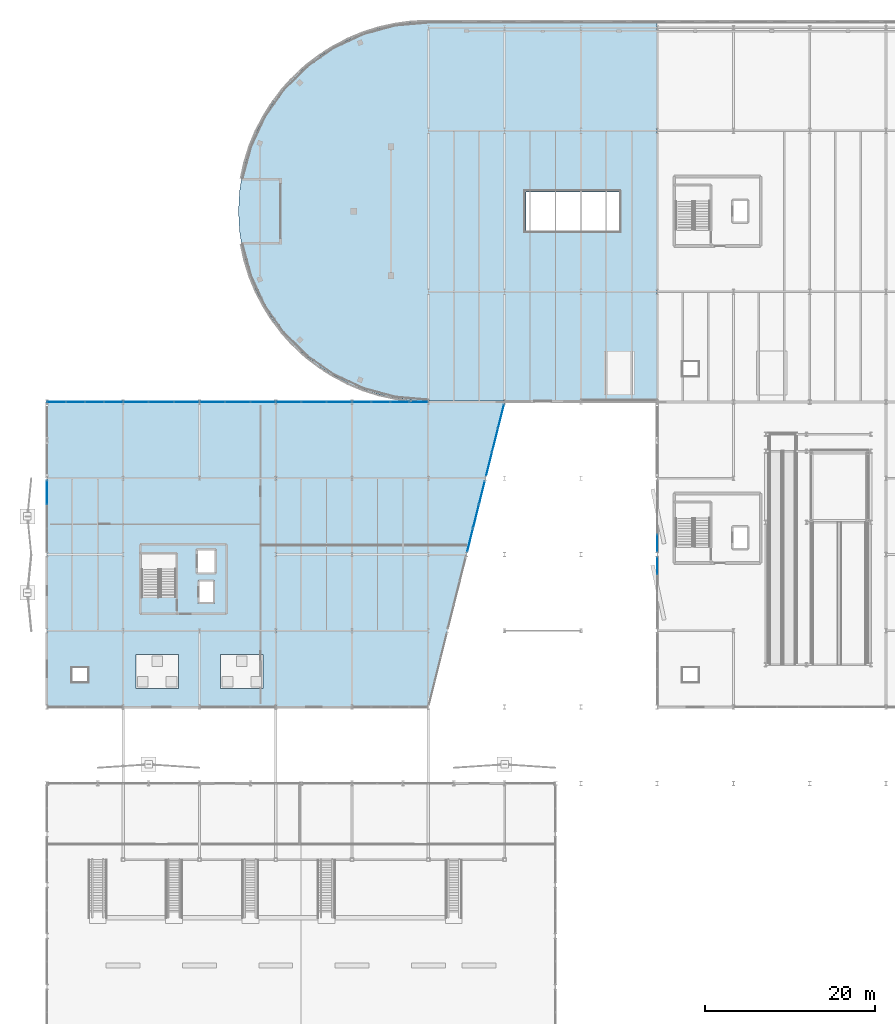
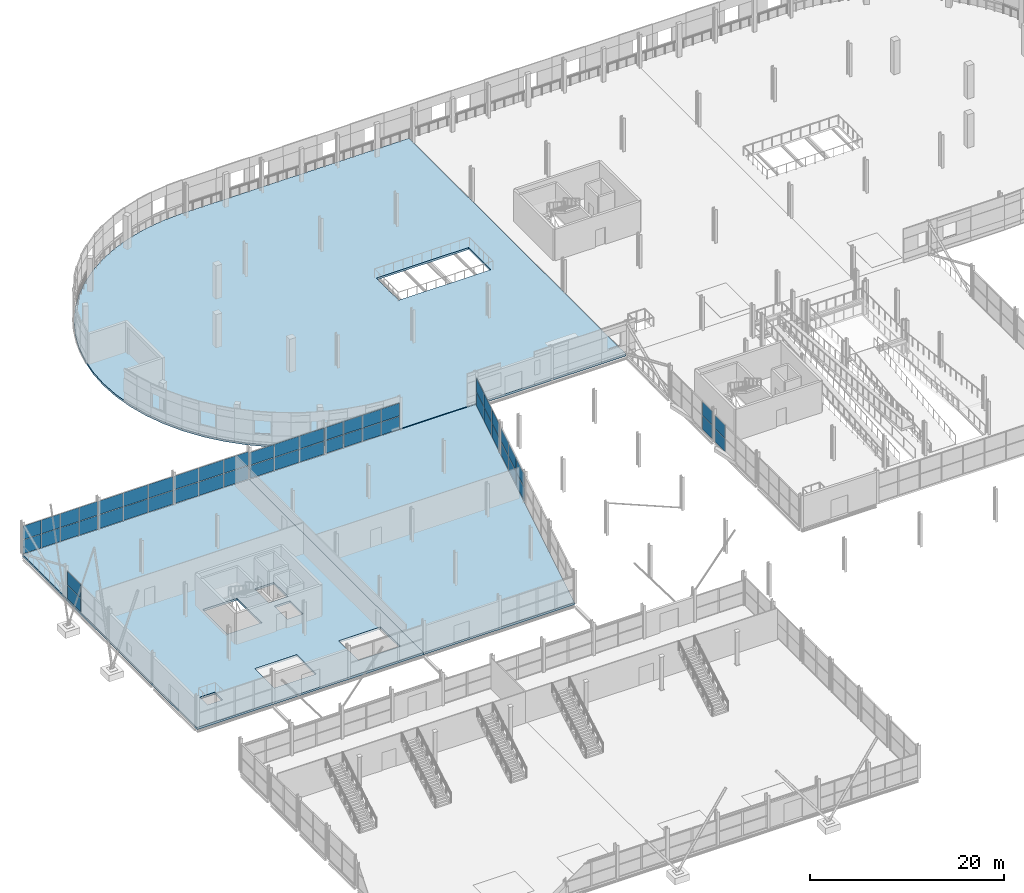
# One storey, part 105 of 140: 52 plates, 3 slabs, 10 elements without a shape of their own.
"""IFC4 building model written with IfcOpenShell, lengths in metres."""

from ifc_helpers import new_model, si_unit, direction, frame, origin, origin_2d, place, context, subcontext, project, spatial, polyline, rectangle, outline, extrude, material, layer, layer_set, type_object, element, aggregate, save


model = new_model("IFC4")

# Units and contexts
model_context = context("Model", 3, precision=1e-05, world=origin(), true_north=direction((0.0, 1.0)))
body_context = subcontext(model_context, "Body", "Model", "MODEL_VIEW")
ifc_project = project(units=[si_unit("LENGTHUNIT", "METRE"), si_unit("AREAUNIT", "SQUARE_METRE"), si_unit("VOLUMEUNIT", "CUBIC_METRE"), si_unit("PLANEANGLEUNIT", "RADIAN"), si_unit("MASSUNIT", "GRAM", prefix="KILO")], contexts=[model_context])

# Site, building, storey
site_placement = place(None, origin())
site = spatial("IfcSite", under=ifc_project, at=site_placement, CompositionType="ELEMENT")
building_placement = place(site_placement, origin())
building = spatial("IfcBuilding", under=site, at=building_placement, Name="Deido Ridge Mobility Hub", CompositionType="ELEMENT")
storey_placement = place(building_placement, origin())
storey = spatial("IfcBuildingStorey", under=building, at=storey_placement, Name="L00", CompositionType="ELEMENT", Elevation=0.0)

# Curtain wall, plates
ifc_material_1 = material(Name="Anodised aluminium EN AW-6063 T6", Category="aluminium")
ifc_layer_1 = layer(ifc_material_1, 0.27001953125, Name="Anodised aluminium EN AW-6063 T6")
ifc_layer_set_1 = layer_set([ifc_layer_1], Name="Anodised aluminium EN AW-6063 T6")
curtain_wall_type_1 = type_object("IfcCurtainWallType", Name="CW-UF-8", PredefinedType="USERDEFINED", material=ifc_layer_set_1)
curtain_wall_1_placement = place(storey_placement, origin())
curtain_wall_1 = element("IfcCurtainWall", 1, at=curtain_wall_1_placement, inside=storey, type_object=curtain_wall_type_1, Name="Unitised curtain wall CW8", ObjectType="UNITISED FACADE", PredefinedType="USERDEFINED")
ifc_material_2 = material(Name="Laminated solar-control low-E glass", Category="glass")
ifc_layer_2 = layer(ifc_material_2, 0.02587890625, Name="Laminated solar-control low-E glass")
ifc_layer_set_2 = layer_set([ifc_layer_2], Name="Laminated solar-control low-E glass")
plate_type_1 = type_object("IfcPlateType", Name="PLT-CWP-26", PredefinedType="CURTAIN_PANEL", material=ifc_layer_set_2)
plate_1_placement = place(storey_placement, frame((52.173095703125, 73.692626953125, 0.050048828125), z_axis=(0.0, 0.0, 1.0), x_axis=(0.242546419373, 0.970139801497, 0.0)))
plate_1 = element("IfcPlate", 2, at=plate_1_placement, type_object=plate_type_1, Name="CW8 panel 1.1", PredefinedType="CURTAIN_PANEL", context=body_context, shape_type="SweptSolid", body=[
    extrude(rectangle(XDim=2.831298828125, YDim=0.02587890625, at=origin_2d()), origin(), (0.0, 0.0, 1.0), 1.72509765625),
])
plate_2_placement = place(storey_placement, frame((52.173095703125, 73.692626953125, 1.824951171875), z_axis=(0.0, 0.0, 1.0), x_axis=(0.242546419373, 0.970139801497, 0.0)))
plate_2 = element("IfcPlate", 3, at=plate_2_placement, type_object=plate_type_1, Name="CW8 panel 1.2", PredefinedType="CURTAIN_PANEL", context=body_context, shape_type="SweptSolid", body=[
    extrude(rectangle(XDim=2.831298828125, YDim=0.02587890625, at=origin_2d()), origin(), (0.0, 0.0, 1.0), 1.72509765625),
])
plate_3_placement = place(storey_placement, frame((52.875, 76.5, 0.050048828125), z_axis=(0.0, 0.0, 1.0), x_axis=(0.242546419373, 0.970139801497, 0.0)))
plate_3 = element("IfcPlate", 4, at=plate_3_placement, type_object=plate_type_1, Name="CW8 panel 2.1", PredefinedType="CURTAIN_PANEL", context=body_context, shape_type="SweptSolid", body=[
    extrude(rectangle(XDim=2.8564453125, YDim=0.02587890625, at=origin_2d()), origin(), (0.0, 0.0, 1.0), 1.72509765625),
])
plate_4_placement = place(storey_placement, frame((52.875, 76.5, 1.824951171875), z_axis=(0.0, 0.0, 1.0), x_axis=(0.242546419373, 0.970139801497, 0.0)))
plate_4 = element("IfcPlate", 5, at=plate_4_placement, type_object=plate_type_1, Name="CW8 panel 2.2", PredefinedType="CURTAIN_PANEL", context=body_context, shape_type="SweptSolid", body=[
    extrude(rectangle(XDim=2.8564453125, YDim=0.02587890625, at=origin_2d()), origin(), (0.0, 0.0, 1.0), 1.72509765625),
])
plate_5_placement = place(storey_placement, frame((53.576904296875, 79.307373046875, 0.050048828125), z_axis=(0.0, 0.0, 1.0), x_axis=(0.242546419373, 0.970139801497, 0.0)))
plate_5 = element("IfcPlate", 6, at=plate_5_placement, type_object=plate_type_1, Name="CW8 panel 3.1", PredefinedType="CURTAIN_PANEL", context=body_context, shape_type="SweptSolid", body=[
    extrude(rectangle(XDim=2.831298828125, YDim=0.02587890625, at=origin_2d()), origin(), (0.0, 0.0, 1.0), 1.72509765625),
])
plate_6_placement = place(storey_placement, frame((53.576904296875, 79.307373046875, 1.824951171875), z_axis=(0.0, 0.0, 1.0), x_axis=(0.242546419373, 0.970139801497, 0.0)))
plate_6 = element("IfcPlate", 7, at=plate_6_placement, type_object=plate_type_1, Name="CW8 panel 3.2", PredefinedType="CURTAIN_PANEL", context=body_context, shape_type="SweptSolid", body=[
    extrude(rectangle(XDim=2.831298828125, YDim=0.02587890625, at=origin_2d()), origin(), (0.0, 0.0, 1.0), 1.72509765625),
])
aggregate(curtain_wall_1, [plate_1, plate_2, plate_3, plate_4, plate_5, plate_6])

ifc_layer_3 = layer(ifc_material_1, 0.132080078125, Name="Anodised aluminium EN AW-6063 T6")
ifc_layer_set_3 = layer_set([ifc_layer_3], Name="Anodised aluminium EN AW-6063 T6")
curtain_wall_type_2 = type_object("IfcCurtainWallType", Name="CW-GS-1", PredefinedType="USERDEFINED", material=ifc_layer_set_3)
curtain_wall_2_placement = place(storey_placement, origin())
curtain_wall_2 = element("IfcCurtainWall", 8, at=curtain_wall_2_placement, inside=storey, type_object=curtain_wall_type_2, Name="Unitised curtain wall GS1", ObjectType="GLAZED SCREEN", PredefinedType="USERDEFINED")
ifc_layer_4 = layer(ifc_material_2, 0.029052734375, Name="Laminated solar-control low-E glass")
ifc_layer_set_4 = layer_set([ifc_layer_4], Name="Laminated solar-control low-E glass")
plate_type_2 = type_object("IfcPlateType", Name="PLT-CWP-29", PredefinedType="CURTAIN_PANEL", material=ifc_layer_set_4)
plate_7_placement = place(storey_placement, frame((1.144287109375, 81.0, 0.05517578125), z_axis=(0.0, 0.0, 1.0), x_axis=(1.0, 0.0, 0.0)))
plate_7 = element("IfcPlate", 9, at=plate_7_placement, type_object=plate_type_2, Name="GS1 panel 1.1", PredefinedType="CURTAIN_PANEL", context=body_context, shape_type="SweptSolid", body=[
    extrude(rectangle(XDim=2.163818359375, YDim=0.029052734375, at=origin_2d()), origin(), (0.0, 0.0, 1.0), 1.717529296875),
])
plate_8_placement = place(storey_placement, frame((1.144287109375, 81.0, 1.82763671875), z_axis=(0.0, 0.0, 1.0), x_axis=(1.0, 0.0, 0.0)))
plate_8 = element("IfcPlate", 10, at=plate_8_placement, type_object=plate_type_2, Name="GS1 panel 1.2", PredefinedType="CURTAIN_PANEL", context=body_context, shape_type="SweptSolid", body=[
    extrude(rectangle(XDim=2.163818359375, YDim=0.029052734375, at=origin_2d()), origin(), (0.0, 0.0, 1.0), 1.717529296875),
])
plate_9_placement = place(storey_placement, frame((3.376708984375, 81.0, 0.05517578125), z_axis=(0.0, 0.0, 1.0), x_axis=(1.0, 0.0, 0.0)))
plate_9 = element("IfcPlate", 11, at=plate_9_placement, type_object=plate_type_2, Name="GS1 panel 2.1", PredefinedType="CURTAIN_PANEL", context=body_context, shape_type="SweptSolid", body=[
    extrude(rectangle(XDim=2.19140625, YDim=0.029052734375, at=origin_2d()), origin(), (0.0, 0.0, 1.0), 1.717529296875),
])
plate_10_placement = place(storey_placement, frame((3.376708984375, 81.0, 1.82763671875), z_axis=(0.0, 0.0, 1.0), x_axis=(1.0, 0.0, 0.0)))
plate_10 = element("IfcPlate", 12, at=plate_10_placement, type_object=plate_type_2, Name="GS1 panel 2.2", PredefinedType="CURTAIN_PANEL", context=body_context, shape_type="SweptSolid", body=[
    extrude(rectangle(XDim=2.19140625, YDim=0.029052734375, at=origin_2d()), origin(), (0.0, 0.0, 1.0), 1.717529296875),
])
plate_11_placement = place(storey_placement, frame((5.623291015625, 81.0, 0.05517578125), z_axis=(0.0, 0.0, 1.0), x_axis=(1.0, 0.0, 0.0)))
plate_11 = element("IfcPlate", 13, at=plate_11_placement, type_object=plate_type_2, Name="GS1 panel 3.1", PredefinedType="CURTAIN_PANEL", context=body_context, shape_type="SweptSolid", body=[
    extrude(rectangle(XDim=2.19140625, YDim=0.029052734375, at=origin_2d()), origin(), (0.0, 0.0, 1.0), 1.717529296875),
])
plate_12_placement = place(storey_placement, frame((5.623291015625, 81.0, 1.82763671875), z_axis=(0.0, 0.0, 1.0), x_axis=(1.0, 0.0, 0.0)))
plate_12 = element("IfcPlate", 14, at=plate_12_placement, type_object=plate_type_2, Name="GS1 panel 3.2", PredefinedType="CURTAIN_PANEL", context=body_context, shape_type="SweptSolid", body=[
    extrude(rectangle(XDim=2.19140625, YDim=0.029052734375, at=origin_2d()), origin(), (0.0, 0.0, 1.0), 1.717529296875),
])
plate_13_placement = place(storey_placement, frame((7.855712890625, 81.0, 0.05517578125), z_axis=(0.0, 0.0, 1.0), x_axis=(1.0, 0.0, 0.0)))
plate_13 = element("IfcPlate", 15, at=plate_13_placement, type_object=plate_type_2, Name="GS1 panel 4.1", PredefinedType="CURTAIN_PANEL", context=body_context, shape_type="SweptSolid", body=[
    extrude(rectangle(XDim=2.163818359375, YDim=0.029052734375, at=origin_2d()), origin(), (0.0, 0.0, 1.0), 1.717529296875),
])
plate_14_placement = place(storey_placement, frame((7.855712890625, 81.0, 1.82763671875), z_axis=(0.0, 0.0, 1.0), x_axis=(1.0, 0.0, 0.0)))
plate_14 = element("IfcPlate", 16, at=plate_14_placement, type_object=plate_type_2, Name="GS1 panel 4.2", PredefinedType="CURTAIN_PANEL", context=body_context, shape_type="SweptSolid", body=[
    extrude(rectangle(XDim=2.163818359375, YDim=0.029052734375, at=origin_2d()), origin(), (0.0, 0.0, 1.0), 1.717529296875),
])
aggregate(curtain_wall_2, [plate_7, plate_8, plate_9, plate_10, plate_11, plate_12, plate_13, plate_14])

ifc_layer_5 = layer(ifc_material_1, 0.195068359375, Name="Anodised aluminium EN AW-6063 T6")
ifc_layer_set_5 = layer_set([ifc_layer_5], Name="Anodised aluminium EN AW-6063 T6")
curtain_wall_type_3 = type_object("IfcCurtainWallType", Name="CW-UF-3", PredefinedType="USERDEFINED", material=ifc_layer_set_5)
curtain_wall_3_placement = place(storey_placement, origin())
curtain_wall_3 = element("IfcCurtainWall", 17, at=curtain_wall_3_placement, inside=storey, type_object=curtain_wall_type_3, Name="Unitised curtain wall CW3", ObjectType="UNITISED FACADE", PredefinedType="USERDEFINED")
ifc_layer_6 = layer(ifc_material_2, 0.031005859375, Name="Laminated solar-control low-E glass")
ifc_layer_set_6 = layer_set([ifc_layer_6], Name="Laminated solar-control low-E glass")
plate_type_3 = type_object("IfcPlateType", Name="PLT-CWP-31", PredefinedType="CURTAIN_PANEL", material=ifc_layer_set_6)
plate_15_placement = place(storey_placement, frame((0.0, 70.318359375, 0.06005859375), z_axis=(0.0, 0.0, 1.0), x_axis=(0.0, 1.0, 0.0)))
plate_15 = element("IfcPlate", 18, at=plate_15_placement, type_object=plate_type_3, Name="CW3 panel 3.1", PredefinedType="CURTAIN_PANEL", context=body_context, shape_type="SweptSolid", body=[
    extrude(rectangle(XDim=2.743408203125, YDim=0.031005859375, at=origin_2d()), origin(), (0.0, 0.0, 1.0), 1.7099609375),
])
plate_16_placement = place(storey_placement, frame((0.0, 70.318359375, 1.830078125), z_axis=(0.0, 0.0, 1.0), x_axis=(0.0, 1.0, 0.0)))
plate_16 = element("IfcPlate", 19, at=plate_16_placement, type_object=plate_type_3, Name="CW3 panel 3.2", PredefinedType="CURTAIN_PANEL", context=body_context, shape_type="SweptSolid", body=[
    extrude(rectangle(XDim=2.743408203125, YDim=0.031005859375, at=origin_2d()), origin(), (0.0, 0.0, 1.0), 1.7099609375),
])
aggregate(curtain_wall_3, [plate_15, plate_16])

ifc_layer_7 = layer(ifc_material_1, 0.14404296875, Name="Anodised aluminium EN AW-6063 T6")
ifc_layer_set_7 = layer_set([ifc_layer_7], Name="Anodised aluminium EN AW-6063 T6")
curtain_wall_type_4 = type_object("IfcCurtainWallType", Name="CW-GS-2", PredefinedType="USERDEFINED", material=ifc_layer_set_7)
curtain_wall_4_placement = place(storey_placement, origin())
curtain_wall_4 = element("IfcCurtainWall", 20, at=curtain_wall_4_placement, inside=storey, type_object=curtain_wall_type_4, Name="Unitised curtain wall GS2", ObjectType="GLAZED SCREEN", PredefinedType="USERDEFINED")
plate_17_placement = place(storey_placement, frame((10.519775390625, 81.0, 0.06005859375), z_axis=(0.0, 0.0, 1.0), x_axis=(1.0, 0.0, 0.0)))
plate_17 = element("IfcPlate", 21, at=plate_17_placement, type_object=plate_type_3, Name="GS2 panel 1.1", PredefinedType="CURTAIN_PANEL", context=body_context, shape_type="SweptSolid", body=[
    extrude(rectangle(XDim=2.9052734375, YDim=0.031005859375, at=origin_2d()), origin(), (0.0, 0.0, 1.0), 1.7099609375),
])
plate_18_placement = place(storey_placement, frame((10.519775390625, 81.0, 1.830078125), z_axis=(0.0, 0.0, 1.0), x_axis=(1.0, 0.0, 0.0)))
plate_18 = element("IfcPlate", 22, at=plate_18_placement, type_object=plate_type_3, Name="GS2 panel 1.2", PredefinedType="CURTAIN_PANEL", context=body_context, shape_type="SweptSolid", body=[
    extrude(rectangle(XDim=2.9052734375, YDim=0.031005859375, at=origin_2d()), origin(), (0.0, 0.0, 1.0), 1.7099609375),
])
plate_19_placement = place(storey_placement, frame((13.5, 81.0, 0.06005859375), z_axis=(0.0, 0.0, 1.0), x_axis=(1.0, 0.0, 0.0)))
plate_19 = element("IfcPlate", 23, at=plate_19_placement, type_object=plate_type_3, Name="GS2 panel 2.1", PredefinedType="CURTAIN_PANEL", context=body_context, shape_type="SweptSolid", body=[
    extrude(rectangle(XDim=2.93505859375, YDim=0.031005859375, at=origin_2d()), origin(), (0.0, 0.0, 1.0), 1.7099609375),
])
plate_20_placement = place(storey_placement, frame((13.5, 81.0, 1.830078125), z_axis=(0.0, 0.0, 1.0), x_axis=(1.0, 0.0, 0.0)))
plate_20 = element("IfcPlate", 24, at=plate_20_placement, type_object=plate_type_3, Name="GS2 panel 2.2", PredefinedType="CURTAIN_PANEL", context=body_context, shape_type="SweptSolid", body=[
    extrude(rectangle(XDim=2.93505859375, YDim=0.031005859375, at=origin_2d()), origin(), (0.0, 0.0, 1.0), 1.7099609375),
])
plate_21_placement = place(storey_placement, frame((16.480224609375, 81.0, 0.06005859375), z_axis=(0.0, 0.0, 1.0), x_axis=(1.0, 0.0, 0.0)))
plate_21 = element("IfcPlate", 25, at=plate_21_placement, type_object=plate_type_3, Name="GS2 panel 3.1", PredefinedType="CURTAIN_PANEL", context=body_context, shape_type="SweptSolid", body=[
    extrude(rectangle(XDim=2.9052734375, YDim=0.031005859375, at=origin_2d()), origin(), (0.0, 0.0, 1.0), 1.7099609375),
])
plate_22_placement = place(storey_placement, frame((16.480224609375, 81.0, 1.830078125), z_axis=(0.0, 0.0, 1.0), x_axis=(1.0, 0.0, 0.0)))
plate_22 = element("IfcPlate", 26, at=plate_22_placement, type_object=plate_type_3, Name="GS2 panel 3.2", PredefinedType="CURTAIN_PANEL", context=body_context, shape_type="SweptSolid", body=[
    extrude(rectangle(XDim=2.9052734375, YDim=0.031005859375, at=origin_2d()), origin(), (0.0, 0.0, 1.0), 1.7099609375),
])
aggregate(curtain_wall_4, [plate_17, plate_18, plate_19, plate_20, plate_21, plate_22])

ifc_layer_8 = layer(ifc_material_1, 0.1650390625, Name="Anodised aluminium EN AW-6063 T6")
ifc_layer_set_8 = layer_set([ifc_layer_8], Name="Anodised aluminium EN AW-6063 T6")
curtain_wall_type_5 = type_object("IfcCurtainWallType", Name="CW-UF-1", PredefinedType="USERDEFINED", material=ifc_layer_set_8)
curtain_wall_5_placement = place(storey_placement, origin())
curtain_wall_5 = element("IfcCurtainWall", 27, at=curtain_wall_5_placement, inside=storey, type_object=curtain_wall_type_5, Name="Unitised curtain wall CW1", ObjectType="UNITISED FACADE", PredefinedType="USERDEFINED")
plate_23_placement = place(storey_placement, frame((72.0, 61.672607421875, 0.06005859375), z_axis=(0.0, 0.0, 1.0), x_axis=(0.0, 1.0, 0.0)))
plate_23 = element("IfcPlate", 28, at=plate_23_placement, type_object=plate_type_3, Name="CW1 panel 4.1", PredefinedType="CURTAIN_PANEL", context=body_context, shape_type="SweptSolid", body=[
    extrude(rectangle(XDim=2.034912109375, YDim=0.031005859375, at=origin_2d()), origin(), (0.0, 0.0, 1.0), 1.6474609375),
])
plate_24_placement = place(storey_placement, frame((72.0, 61.672607421875, 1.767578125), z_axis=(0.0, 0.0, 1.0), x_axis=(0.0, 1.0, 0.0)))
plate_24 = element("IfcPlate", 29, at=plate_24_placement, type_object=plate_type_3, Name="CW1 panel 4.2", PredefinedType="CURTAIN_PANEL", context=body_context, shape_type="SweptSolid", body=[
    extrude(rectangle(XDim=2.034912109375, YDim=0.031005859375, at=origin_2d()), origin(), (0.0, 0.0, 1.0), 1.6474609375),
])
aggregate(curtain_wall_5, [plate_23, plate_24])

curtain_wall_6_placement = place(storey_placement, origin())
curtain_wall_6 = element("IfcCurtainWall", 30, at=curtain_wall_6_placement, inside=storey, type_object=curtain_wall_type_5, Name="Unitised curtain wall CW1", ObjectType="UNITISED FACADE", PredefinedType="USERDEFINED")
plate_25_placement = place(storey_placement, frame((72.0, 64.327392578125, 0.06005859375), z_axis=(0.0, 0.0, 1.0), x_axis=(0.0, 1.0, 0.0)))
plate_25 = element("IfcPlate", 31, at=plate_25_placement, type_object=plate_type_3, Name="CW1 panel 1.1", PredefinedType="CURTAIN_PANEL", context=body_context, shape_type="SweptSolid", body=[
    extrude(rectangle(XDim=2.034912109375, YDim=0.031005859375, at=origin_2d()), origin(), (0.0, 0.0, 1.0), 1.7099609375),
])
plate_26_placement = place(storey_placement, frame((72.0, 64.327392578125, 1.830078125), z_axis=(0.0, 0.0, 1.0), x_axis=(0.0, 1.0, 0.0)))
plate_26 = element("IfcPlate", 32, at=plate_26_placement, type_object=plate_type_3, Name="CW1 panel 1.2", PredefinedType="CURTAIN_PANEL", context=body_context, shape_type="SweptSolid", body=[
    extrude(rectangle(XDim=2.034912109375, YDim=0.031005859375, at=origin_2d()), origin(), (0.0, 0.0, 1.0), 1.7099609375),
])
aggregate(curtain_wall_6, [plate_25, plate_26])

ifc_layer_9 = layer(ifc_material_1, 0.156005859375, Name="Anodised aluminium EN AW-6063 T6")
ifc_layer_set_9 = layer_set([ifc_layer_9], Name="Anodised aluminium EN AW-6063 T6")
curtain_wall_type_6 = type_object("IfcCurtainWallType", Name="CW-GS-3", PredefinedType="USERDEFINED", material=ifc_layer_set_9)
curtain_wall_7_placement = place(storey_placement, origin())
curtain_wall_7 = element("IfcCurtainWall", 33, at=curtain_wall_7_placement, inside=storey, type_object=curtain_wall_type_6, Name="Unitised curtain wall GS3", ObjectType="GLAZED SCREEN", PredefinedType="USERDEFINED")
ifc_layer_10 = layer(ifc_material_2, 0.032958984375, Name="Laminated solar-control low-E glass")
ifc_layer_set_10 = layer_set([ifc_layer_10], Name="Laminated solar-control low-E glass")
plate_type_4 = type_object("IfcPlateType", Name="PLT-CWP-33", PredefinedType="CURTAIN_PANEL", material=ifc_layer_set_10)
plate_27_placement = place(storey_placement, frame((19.52099609375, 81.0, 0.06494140625), z_axis=(0.0, 0.0, 1.0), x_axis=(1.0, 0.0, 0.0)))
plate_27 = element("IfcPlate", 34, at=plate_27_placement, type_object=plate_type_4, Name="GS3 panel 1.1", PredefinedType="CURTAIN_PANEL", context=body_context, shape_type="SweptSolid", body=[
    extrude(rectangle(XDim=2.897705078125, YDim=0.032958984375, at=origin_2d()), origin(), (0.0, 0.0, 1.0), 1.702392578125),
])
plate_28_placement = place(storey_placement, frame((19.52099609375, 81.0, 1.83251953125), z_axis=(0.0, 0.0, 1.0), x_axis=(1.0, 0.0, 0.0)))
plate_28 = element("IfcPlate", 35, at=plate_28_placement, type_object=plate_type_4, Name="GS3 panel 1.2", PredefinedType="CURTAIN_PANEL", context=body_context, shape_type="SweptSolid", body=[
    extrude(rectangle(XDim=2.897705078125, YDim=0.032958984375, at=origin_2d()), origin(), (0.0, 0.0, 1.0), 1.702392578125),
])
plate_29_placement = place(storey_placement, frame((22.5, 81.0, 0.06494140625), z_axis=(0.0, 0.0, 1.0), x_axis=(1.0, 0.0, 0.0)))
plate_29 = element("IfcPlate", 36, at=plate_29_placement, type_object=plate_type_4, Name="GS3 panel 2.1", PredefinedType="CURTAIN_PANEL", context=body_context, shape_type="SweptSolid", body=[
    extrude(rectangle(XDim=2.93017578125, YDim=0.032958984375, at=origin_2d()), origin(), (0.0, 0.0, 1.0), 1.702392578125),
])
plate_30_placement = place(storey_placement, frame((22.5, 81.0, 1.83251953125), z_axis=(0.0, 0.0, 1.0), x_axis=(1.0, 0.0, 0.0)))
plate_30 = element("IfcPlate", 37, at=plate_30_placement, type_object=plate_type_4, Name="GS3 panel 2.2", PredefinedType="CURTAIN_PANEL", context=body_context, shape_type="SweptSolid", body=[
    extrude(rectangle(XDim=2.93017578125, YDim=0.032958984375, at=origin_2d()), origin(), (0.0, 0.0, 1.0), 1.702392578125),
])
plate_31_placement = place(storey_placement, frame((25.47900390625, 81.0, 0.06494140625), z_axis=(0.0, 0.0, 1.0), x_axis=(1.0, 0.0, 0.0)))
plate_31 = element("IfcPlate", 38, at=plate_31_placement, type_object=plate_type_4, Name="GS3 panel 3.1", PredefinedType="CURTAIN_PANEL", context=body_context, shape_type="SweptSolid", body=[
    extrude(rectangle(XDim=2.897705078125, YDim=0.032958984375, at=origin_2d()), origin(), (0.0, 0.0, 1.0), 1.702392578125),
])
plate_32_placement = place(storey_placement, frame((25.47900390625, 81.0, 1.83251953125), z_axis=(0.0, 0.0, 1.0), x_axis=(1.0, 0.0, 0.0)))
plate_32 = element("IfcPlate", 39, at=plate_32_placement, type_object=plate_type_4, Name="GS3 panel 3.2", PredefinedType="CURTAIN_PANEL", context=body_context, shape_type="SweptSolid", body=[
    extrude(rectangle(XDim=2.897705078125, YDim=0.032958984375, at=origin_2d()), origin(), (0.0, 0.0, 1.0), 1.702392578125),
])
aggregate(curtain_wall_7, [plate_27, plate_28, plate_29, plate_30, plate_31, plate_32])

ifc_layer_11 = layer(ifc_material_1, 0.16796875, Name="Anodised aluminium EN AW-6063 T6")
ifc_layer_set_11 = layer_set([ifc_layer_11], Name="Anodised aluminium EN AW-6063 T6")
curtain_wall_type_7 = type_object("IfcCurtainWallType", Name="CW-GS-4", PredefinedType="USERDEFINED", material=ifc_layer_set_11)
curtain_wall_8_placement = place(storey_placement, origin())
curtain_wall_8 = element("IfcCurtainWall", 40, at=curtain_wall_8_placement, inside=storey, type_object=curtain_wall_type_7, Name="Unitised curtain wall GS4", ObjectType="GLAZED SCREEN", PredefinedType="USERDEFINED")
ifc_layer_12 = layer(ifc_material_2, 0.034912109375, Name="Laminated solar-control low-E glass")
ifc_layer_set_12 = layer_set([ifc_layer_12], Name="Laminated solar-control low-E glass")
plate_type_5 = type_object("IfcPlateType", Name="PLT-CWP-35", PredefinedType="CURTAIN_PANEL", material=ifc_layer_set_12)
plate_33_placement = place(storey_placement, frame((28.522216796875, 81.0, 0.070068359375), z_axis=(0.0, 0.0, 1.0), x_axis=(1.0, 0.0, 0.0)))
plate_33 = element("IfcPlate", 41, at=plate_33_placement, type_object=plate_type_5, Name="GS4 panel 1.1", PredefinedType="CURTAIN_PANEL", context=body_context, shape_type="SweptSolid", body=[
    extrude(rectangle(XDim=2.89013671875, YDim=0.034912109375, at=origin_2d()), origin(), (0.0, 0.0, 1.0), 1.607421875),
])
plate_34_placement = place(storey_placement, frame((28.522216796875, 81.0, 1.74755859375), z_axis=(0.0, 0.0, 1.0), x_axis=(1.0, 0.0, 0.0)))
plate_34 = element("IfcPlate", 42, at=plate_34_placement, type_object=plate_type_5, Name="GS4 panel 1.2", PredefinedType="CURTAIN_PANEL", context=body_context, shape_type="SweptSolid", body=[
    extrude(rectangle(XDim=2.89013671875, YDim=0.034912109375, at=origin_2d()), origin(), (0.0, 0.0, 1.0), 1.607421875),
])
plate_35_placement = place(storey_placement, frame((31.5, 81.0, 0.070068359375), z_axis=(0.0, 0.0, 1.0), x_axis=(1.0, 0.0, 0.0)))
plate_35 = element("IfcPlate", 43, at=plate_35_placement, type_object=plate_type_5, Name="GS4 panel 2.1", PredefinedType="CURTAIN_PANEL", context=body_context, shape_type="SweptSolid", body=[
    extrude(rectangle(XDim=2.92529296875, YDim=0.034912109375, at=origin_2d()), origin(), (0.0, 0.0, 1.0), 1.607421875),
])
plate_36_placement = place(storey_placement, frame((31.5, 81.0, 1.74755859375), z_axis=(0.0, 0.0, 1.0), x_axis=(1.0, 0.0, 0.0)))
plate_36 = element("IfcPlate", 44, at=plate_36_placement, type_object=plate_type_5, Name="GS4 panel 2.2", PredefinedType="CURTAIN_PANEL", context=body_context, shape_type="SweptSolid", body=[
    extrude(rectangle(XDim=2.92529296875, YDim=0.034912109375, at=origin_2d()), origin(), (0.0, 0.0, 1.0), 1.607421875),
])
plate_37_placement = place(storey_placement, frame((34.477783203125, 81.0, 0.070068359375), z_axis=(0.0, 0.0, 1.0), x_axis=(1.0, 0.0, 0.0)))
plate_37 = element("IfcPlate", 45, at=plate_37_placement, type_object=plate_type_5, Name="GS4 panel 3.1", PredefinedType="CURTAIN_PANEL", context=body_context, shape_type="SweptSolid", body=[
    extrude(rectangle(XDim=2.89013671875, YDim=0.034912109375, at=origin_2d()), origin(), (0.0, 0.0, 1.0), 1.607421875),
])
plate_38_placement = place(storey_placement, frame((34.477783203125, 81.0, 1.74755859375), z_axis=(0.0, 0.0, 1.0), x_axis=(1.0, 0.0, 0.0)))
plate_38 = element("IfcPlate", 46, at=plate_38_placement, type_object=plate_type_5, Name="GS4 panel 3.2", PredefinedType="CURTAIN_PANEL", context=body_context, shape_type="SweptSolid", body=[
    extrude(rectangle(XDim=2.89013671875, YDim=0.034912109375, at=origin_2d()), origin(), (0.0, 0.0, 1.0), 1.607421875),
])
aggregate(curtain_wall_8, [plate_33, plate_34, plate_35, plate_36, plate_37, plate_38])

curtain_wall_9_placement = place(storey_placement, origin())
curtain_wall_9 = element("IfcCurtainWall", 47, at=curtain_wall_9_placement, inside=storey, type_object=curtain_wall_type_2, Name="Unitised curtain wall GS1", ObjectType="GLAZED SCREEN", PredefinedType="USERDEFINED")
ifc_layer_13 = layer(ifc_material_2, 0.037109375, Name="Laminated solar-control low-E glass")
ifc_layer_set_13 = layer_set([ifc_layer_13], Name="Laminated solar-control low-E glass")
plate_type_6 = type_object("IfcPlateType", Name="PLT-CWP-37", PredefinedType="CURTAIN_PANEL", material=ifc_layer_set_13)
plate_39_placement = place(storey_placement, frame((37.149169921875, 81.0, 0.074951171875), z_axis=(0.0, 0.0, 1.0), x_axis=(1.0, 0.0, 0.0)))
plate_39 = element("IfcPlate", 48, at=plate_39_placement, type_object=plate_type_6, Name="GS1 panel 1.1", PredefinedType="CURTAIN_PANEL", context=body_context, shape_type="SweptSolid", body=[
    extrude(rectangle(XDim=2.1337890625, YDim=0.037109375, at=origin_2d()), origin(), (0.0, 0.0, 1.0), 1.60009765625),
])
plate_40_placement = place(storey_placement, frame((37.149169921875, 81.0, 1.75), z_axis=(0.0, 0.0, 1.0), x_axis=(1.0, 0.0, 0.0)))
plate_40 = element("IfcPlate", 49, at=plate_40_placement, type_object=plate_type_6, Name="GS1 panel 1.2", PredefinedType="CURTAIN_PANEL", context=body_context, shape_type="SweptSolid", body=[
    extrude(rectangle(XDim=2.1337890625, YDim=0.037109375, at=origin_2d()), origin(), (0.0, 0.0, 1.0), 1.60009765625),
])
plate_41_placement = place(storey_placement, frame((39.376708984375, 81.0, 0.074951171875), z_axis=(0.0, 0.0, 1.0), x_axis=(1.0, 0.0, 0.0)))
plate_41 = element("IfcPlate", 50, at=plate_41_placement, type_object=plate_type_6, Name="GS1 panel 2.1", PredefinedType="CURTAIN_PANEL", context=body_context, shape_type="SweptSolid", body=[
    extrude(rectangle(XDim=2.17138671875, YDim=0.037109375, at=origin_2d()), origin(), (0.0, 0.0, 1.0), 1.60009765625),
])
plate_42_placement = place(storey_placement, frame((39.376708984375, 81.0, 1.75), z_axis=(0.0, 0.0, 1.0), x_axis=(1.0, 0.0, 0.0)))
plate_42 = element("IfcPlate", 51, at=plate_42_placement, type_object=plate_type_6, Name="GS1 panel 2.2", PredefinedType="CURTAIN_PANEL", context=body_context, shape_type="SweptSolid", body=[
    extrude(rectangle(XDim=2.17138671875, YDim=0.037109375, at=origin_2d()), origin(), (0.0, 0.0, 1.0), 1.60009765625),
])
plate_43_placement = place(storey_placement, frame((41.623291015625, 81.0, 0.074951171875), z_axis=(0.0, 0.0, 1.0), x_axis=(1.0, 0.0, 0.0)))
plate_43 = element("IfcPlate", 52, at=plate_43_placement, type_object=plate_type_6, Name="GS1 panel 3.1", PredefinedType="CURTAIN_PANEL", context=body_context, shape_type="SweptSolid", body=[
    extrude(rectangle(XDim=2.17138671875, YDim=0.037109375, at=origin_2d()), origin(), (0.0, 0.0, 1.0), 1.60009765625),
])
plate_44_placement = place(storey_placement, frame((41.623291015625, 81.0, 1.75), z_axis=(0.0, 0.0, 1.0), x_axis=(1.0, 0.0, 0.0)))
plate_44 = element("IfcPlate", 53, at=plate_44_placement, type_object=plate_type_6, Name="GS1 panel 3.2", PredefinedType="CURTAIN_PANEL", context=body_context, shape_type="SweptSolid", body=[
    extrude(rectangle(XDim=2.17138671875, YDim=0.037109375, at=origin_2d()), origin(), (0.0, 0.0, 1.0), 1.60009765625),
])
plate_45_placement = place(storey_placement, frame((43.850830078125, 81.0, 0.074951171875), z_axis=(0.0, 0.0, 1.0), x_axis=(1.0, 0.0, 0.0)))
plate_45 = element("IfcPlate", 54, at=plate_45_placement, type_object=plate_type_6, Name="GS1 panel 4.1", PredefinedType="CURTAIN_PANEL", context=body_context, shape_type="SweptSolid", body=[
    extrude(rectangle(XDim=2.1337890625, YDim=0.037109375, at=origin_2d()), origin(), (0.0, 0.0, 1.0), 1.60009765625),
])
plate_46_placement = place(storey_placement, frame((43.850830078125, 81.0, 1.75), z_axis=(0.0, 0.0, 1.0), x_axis=(1.0, 0.0, 0.0)))
plate_46 = element("IfcPlate", 55, at=plate_46_placement, type_object=plate_type_6, Name="GS1 panel 4.2", PredefinedType="CURTAIN_PANEL", context=body_context, shape_type="SweptSolid", body=[
    extrude(rectangle(XDim=2.1337890625, YDim=0.037109375, at=origin_2d()), origin(), (0.0, 0.0, 1.0), 1.60009765625),
])
aggregate(curtain_wall_9, [plate_39, plate_40, plate_41, plate_42, plate_43, plate_44, plate_45, plate_46])

ifc_layer_14 = layer(ifc_material_1, 0.2548828125, Name="Anodised aluminium EN AW-6063 T6")
ifc_layer_set_14 = layer_set([ifc_layer_14], Name="Anodised aluminium EN AW-6063 T6")
curtain_wall_type_8 = type_object("IfcCurtainWallType", Name="CW-UF-7", PredefinedType="USERDEFINED", material=ifc_layer_set_14)
curtain_wall_10_placement = place(storey_placement, origin())
curtain_wall_10 = element("IfcCurtainWall", 56, at=curtain_wall_10_placement, inside=storey, type_object=curtain_wall_type_8, Name="Unitised curtain wall CW7", ObjectType="UNITISED FACADE", PredefinedType="USERDEFINED")
ifc_layer_15 = layer(ifc_material_2, 0.041015625, Name="Laminated solar-control low-E glass")
ifc_layer_set_15 = layer_set([ifc_layer_15], Name="Laminated solar-control low-E glass")
plate_type_7 = type_object("IfcPlateType", Name="PLT-CWP-41", PredefinedType="CURTAIN_PANEL", material=ifc_layer_set_15)
plate_47_placement = place(storey_placement, frame((49.92529296875, 64.700927734375, 0.0849609375), z_axis=(0.0, 0.0, 1.0), x_axis=(0.242546419373, 0.970139801497, 0.0)))
plate_47 = element("IfcPlate", 57, at=plate_47_placement, type_object=plate_type_7, Name="CW7 panel 1.1", PredefinedType="CURTAIN_PANEL", context=body_context, shape_type="SweptSolid", body=[
    extrude(rectangle(XDim=2.77880859375, YDim=0.041015625, at=origin_2d()), origin(), (0.0, 0.0, 1.0), 1.672607421875),
])
plate_48_placement = place(storey_placement, frame((49.92529296875, 64.700927734375, 1.84228515625), z_axis=(0.0, 0.0, 1.0), x_axis=(0.242546419373, 0.970139801497, 0.0)))
plate_48 = element("IfcPlate", 58, at=plate_48_placement, type_object=plate_type_7, Name="CW7 panel 1.2", PredefinedType="CURTAIN_PANEL", context=body_context, shape_type="SweptSolid", body=[
    extrude(rectangle(XDim=2.77880859375, YDim=0.041015625, at=origin_2d()), origin(), (0.0, 0.0, 1.0), 1.672607421875),
])
plate_49_placement = place(storey_placement, frame((50.625, 67.5, 0.0849609375), z_axis=(0.0, 0.0, 1.0), x_axis=(0.242546419373, 0.970139801497, 0.0)))
plate_49 = element("IfcPlate", 59, at=plate_49_placement, type_object=plate_type_7, Name="CW7 panel 2.1", PredefinedType="CURTAIN_PANEL", context=body_context, shape_type="SweptSolid", body=[
    extrude(rectangle(XDim=2.8212890625, YDim=0.041015625, at=origin_2d()), origin(), (0.0, 0.0, 1.0), 1.672607421875),
])
plate_50_placement = place(storey_placement, frame((50.625, 67.5, 1.84228515625), z_axis=(0.0, 0.0, 1.0), x_axis=(0.242546419373, 0.970139801497, 0.0)))
plate_50 = element("IfcPlate", 60, at=plate_50_placement, type_object=plate_type_7, Name="CW7 panel 2.2", PredefinedType="CURTAIN_PANEL", context=body_context, shape_type="SweptSolid", body=[
    extrude(rectangle(XDim=2.8212890625, YDim=0.041015625, at=origin_2d()), origin(), (0.0, 0.0, 1.0), 1.672607421875),
])
plate_51_placement = place(storey_placement, frame((51.32470703125, 70.299072265625, 0.0849609375), z_axis=(0.0, 0.0, 1.0), x_axis=(0.242546419373, 0.970139801497, 0.0)))
plate_51 = element("IfcPlate", 61, at=plate_51_placement, type_object=plate_type_7, Name="CW7 panel 3.1", PredefinedType="CURTAIN_PANEL", context=body_context, shape_type="SweptSolid", body=[
    extrude(rectangle(XDim=2.77880859375, YDim=0.041015625, at=origin_2d()), origin(), (0.0, 0.0, 1.0), 1.672607421875),
])
plate_52_placement = place(storey_placement, frame((51.32470703125, 70.299072265625, 1.84228515625), z_axis=(0.0, 0.0, 1.0), x_axis=(0.242546419373, 0.970139801497, 0.0)))
plate_52 = element("IfcPlate", 62, at=plate_52_placement, type_object=plate_type_7, Name="CW7 panel 3.2", PredefinedType="CURTAIN_PANEL", context=body_context, shape_type="SweptSolid", body=[
    extrude(rectangle(XDim=2.77880859375, YDim=0.041015625, at=origin_2d()), origin(), (0.0, 0.0, 1.0), 1.672607421875),
])
aggregate(curtain_wall_10, [plate_47, plate_48, plate_49, plate_50, plate_51, plate_52])

# Slabs
ifc_material_3 = material(Name="Concrete C35/45", Category="concrete")
ifc_layer_16 = layer(ifc_material_3, 0.260009765625, Name="Concrete C35/45")
ifc_layer_set_16 = layer_set([ifc_layer_16], Name="Concrete C35/45")
slab_type = type_object("IfcSlabType", Name="SLB-FLR-260", PredefinedType="FLOOR", material=ifc_layer_set_16)
slab_1_placement = place(storey_placement, frame((0.0, 0.0, -0.260009765625)))
element("IfcSlab", 63, at=slab_1_placement, inside=storey, type_object=slab_type, Name="L00 V5 structural deck 13", PredefinedType="FLOOR", context=body_context, shape_type="SweptSolid", body=[
    extrude(outline(polyline([(0.0, 81.0), (27.0, 81.0), (27.0, 45.0), (0.0, 45.0), (0.0, 81.0)]), holes=[polyline([(3.0, 49.60009765625), (4.800048828125, 49.60009765625), (4.800048828125, 48.0), (3.0, 48.0), (3.0, 49.60009765625)]), polyline([(10.486083984375, 51.205810546875), (15.5, 51.215087890625), (15.514892578125, 47.199951171875), (10.5, 47.18505859375), (10.486083984375, 51.205810546875)]), polyline([(20.48681640625, 51.20703125), (25.5, 51.215087890625), (25.514892578125, 47.199951171875), (20.5, 47.18505859375), (20.48681640625, 51.20703125)]), polyline([(17.85009765625, 59.949951171875), (19.75, 59.949951171875), (19.75, 57.25), (17.85009765625, 57.25), (17.85009765625, 59.949951171875)]), polyline([(11.139892578125, 58.0), (11.139892578125, 63.10009765625), (15.239990234375, 63.10009765625), (15.239990234375, 58.0), (11.139892578125, 58.0)]), polyline([(17.64990234375, 63.64990234375), (19.949951171875, 63.64990234375), (19.949951171875, 60.75), (17.64990234375, 60.75), (17.64990234375, 63.64990234375)])]), origin(), (0.0, 0.0, 1.0), 0.260009765625),
])
slab_2_placement = place(storey_placement, frame((0.0, 0.0, -0.260009765625)))
element("IfcSlab", 64, at=slab_2_placement, inside=storey, type_object=slab_type, Name="L00 V5 structural deck 14", PredefinedType="FLOOR", context=body_context, shape_type="SweptSolid", body=[
    extrude(outline(polyline([(45.0, 45.0), (27.0, 45.0), (27.0, 81.0), (54.0, 81.0), (45.0, 45.0)])), origin(), (0.0, 0.0, 1.0), 0.260009765625),
])
slab_3_placement = place(storey_placement, frame((0.0, 0.0, -0.260009765625)))
element("IfcSlab", 65, at=slab_3_placement, inside=storey, type_object=slab_type, Name="L00 V4 structural deck 16", PredefinedType="FLOOR", context=body_context, shape_type="SweptSolid", body=[
    extrude(outline(polyline([(42.65869140625, 81.22265625), (40.3427734375, 81.589599609375), (38.077880859375, 82.1962890625), (35.88916015625, 83.03662109375), (33.800048828125, 84.10107421875), (31.83349609375, 85.3779296875), (30.011474609375, 86.853515625), (28.353515625, 88.511474609375), (26.8779296875, 90.33349609375), (25.60107421875, 92.300048828125), (24.53662109375, 94.38916015625), (23.6962890625, 96.577880859375), (23.089599609375, 98.8427734375), (22.72265625, 101.15869140625), (22.60009765625, 103.5), (22.72265625, 105.84130859375), (23.089599609375, 108.1572265625), (23.6962890625, 110.422119140625), (24.53662109375, 112.61083984375), (25.60107421875, 114.699951171875), (26.8779296875, 116.66650390625), (28.353515625, 118.488525390625), (30.011474609375, 120.146484375), (31.83349609375, 121.6220703125), (33.800048828125, 122.89892578125), (35.88916015625, 123.96337890625), (38.077880859375, 124.8037109375), (40.3427734375, 125.410400390625), (42.65869140625, 125.77734375), (45.0, 125.89990234375), (71.97509765625, 125.89990234375), (71.97509765625, 81.10009765625), (45.0, 81.10009765625), (42.65869140625, 81.22265625)]), holes=[polyline([(56.5, 105.800048828125), (67.5, 105.800048828125), (67.5, 101.199951171875), (56.5, 101.199951171875), (56.5, 105.800048828125)])]), origin(), (0.0, 0.0, 1.0), 0.260009765625),
])

save(model, "model.ifc")
